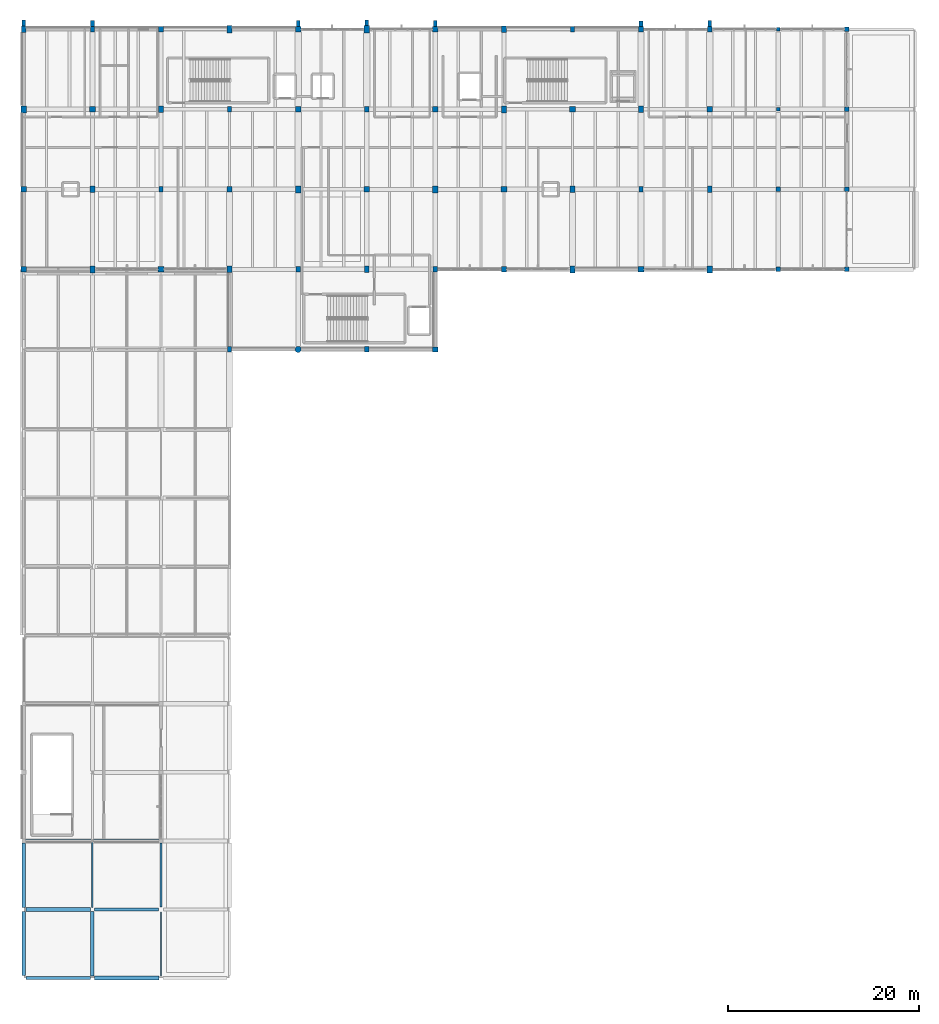
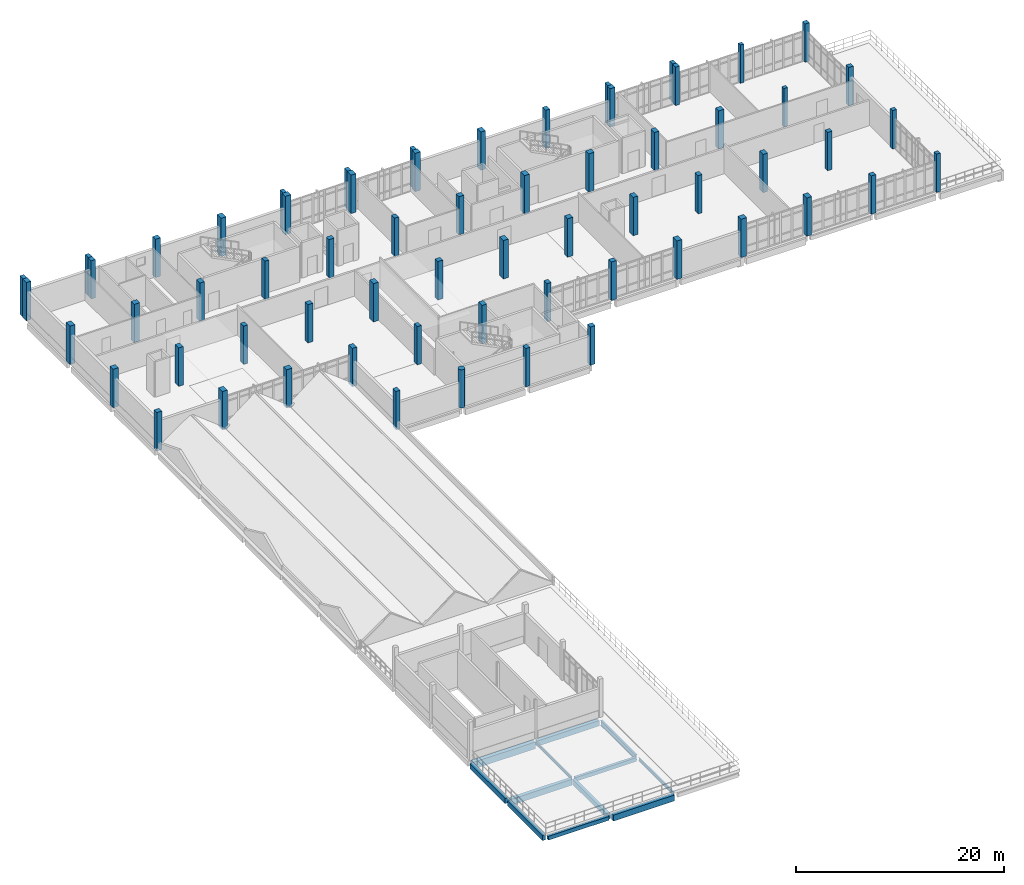
# One storey, part 2 of 41: 63 columns, 12 beams.
"""IFC4 building model written with IfcOpenShell, lengths in metres."""

from ifc_helpers import new_model, si_unit, direction, frame, origin, origin_2d, place, context, subcontext, project, spatial, rectangle, circle, i_section, extrude, material, material_profile, profile_set, type_object, element, save


model = new_model("IFC4")

# Units and contexts
model_context = context("Model", 3, precision=1e-05, world=origin(), true_north=direction((0.0, 1.0)))
body_context = subcontext(model_context, "Body", "Model", "MODEL_VIEW")
ifc_project = project(units=[si_unit("LENGTHUNIT", "METRE"), si_unit("AREAUNIT", "SQUARE_METRE"), si_unit("VOLUMEUNIT", "CUBIC_METRE"), si_unit("PLANEANGLEUNIT", "RADIAN"), si_unit("MASSUNIT", "GRAM", prefix="KILO")], contexts=[model_context])

# Site, building, storey
site_placement = place(None, origin())
site = spatial("IfcSite", under=ifc_project, at=site_placement, CompositionType="ELEMENT")
building_placement = place(site_placement, origin())
building = spatial("IfcBuilding", under=site, at=building_placement, Name="Kalluvel Institute of Natural Sciences", CompositionType="ELEMENT")
storey_placement = place(building_placement, frame((0.0, 0.0, 32.39990234375)))
storey = spatial("IfcBuildingStorey", under=building, at=storey_placement, Name="L07", CompositionType="ELEMENT", Elevation=32.39990234375)

# Columns
ifc_material_1 = material(Name="Concrete M40", Category="concrete")
ifc_material_profile_1 = material_profile(ifc_material_1, rectangle(XDim=0.39990234375, YDim=0.39990234375, at=origin_2d()), Name="RC 400x400")
ifc_profile_set_1 = profile_set([ifc_material_profile_1], Name="Concrete M40")
column_type_1 = type_object("IfcColumnType", Name="COL-RC400", PredefinedType="COLUMN", material=ifc_profile_set_1)
for number, where, z_axis, x_axis, name in (
    (1, (93.199951171875, 119.60009765625, 0.0), (0.0, 0.0, 1.0), (1.0, 0.0, 0.0), "L07 structural column COL-L07-X932-Y1196"),
    (2, (93.199951171875, 128.0, 0.0), (0.0, 0.0, 1.0), (1.0, 0.0, 0.0), "L07 structural column COL-L07-X932-Y1280"),
):
    element("IfcColumn", number, at=place(storey_placement, frame(where, z_axis=z_axis, x_axis=x_axis)), inside=storey, type_object=column_type_1, Name=name, PredefinedType="COLUMN", context=body_context, shape_type="SweptSolid", body=[
        extrude(rectangle(XDim=0.39990234375, YDim=0.39990234375, at=origin_2d()), origin(), (0.0, 0.0, 1.0), 4.5),
    ])
ifc_material_profile_2 = material_profile(ifc_material_1, rectangle(XDim=0.449951171875, YDim=0.449951171875, at=origin_2d()), Name="RC 450x450")
ifc_profile_set_2 = profile_set([ifc_material_profile_2], Name="Concrete M40")
column_type_2 = type_object("IfcColumnType", Name="COL-RC450", PredefinedType="COLUMN", material=ifc_profile_set_2)
for number, where, z_axis, x_axis, name in (
    (3, (100.39990234375, 102.800048828125, 0.0), (0.0, 0.0, 1.0), (1.0, 0.0, 0.0), "L07 structural column COL-L07-X1004-Y1028"),
    (4, (100.39990234375, 111.199951171875, 0.0), (0.0, 0.0, 1.0), (1.0, 0.0, 0.0), "L07 structural column COL-L07-X1004-Y1112"),
):
    element("IfcColumn", number, at=place(storey_placement, frame(where, z_axis=z_axis, x_axis=x_axis)), inside=storey, type_object=column_type_2, Name=name, PredefinedType="COLUMN", context=body_context, shape_type="SweptSolid", body=[
        extrude(rectangle(XDim=0.449951171875, YDim=0.449951171875, at=origin_2d()), origin(), (0.0, 0.0, 1.0), 4.5),
    ])
ifc_material_profile_3 = material_profile(ifc_material_1, rectangle(XDim=0.449951171875, YDim=0.60009765625, at=origin_2d()), Name="RC 450x600")
ifc_profile_set_3 = profile_set([ifc_material_profile_3], Name="Concrete M40")
column_type_3 = type_object("IfcColumnType", Name="COL-RC450x600", PredefinedType="COLUMN", material=ifc_profile_set_3)
for number, where, z_axis, x_axis, name in (
    (5, (21.199951171875, 128.0, 0.0), (0.0, 0.0, 1.0), (1.0, 0.0, 0.0), "L07 structural column COL-L07-X212-Y1280"),
    (6, (28.39990234375, 111.199951171875, 0.0), (0.0, 0.0, 1.0), (1.0, 0.0, 0.0), "L07 structural column COL-L07-X284-Y1112"),
    (7, (35.60009765625, 94.39990234375, 0.0), (0.0, 0.0, 1.0), (1.0, 0.0, 0.0), "L07 structural column COL-L07-X356-Y944"),
    (8, (35.60009765625, 119.60009765625, 0.0), (0.0, 0.0, 1.0), (1.0, 0.0, 0.0), "L07 structural column COL-L07-X356-Y1196"),
    (9, (42.800048828125, 102.800048828125, 0.0), (0.0, 0.0, 1.0), (1.0, 0.0, 0.0), "L07 structural column COL-L07-X428-Y1028"),
    (10, (50.0, 94.39990234375, 0.0), (0.0, 0.0, 1.0), (1.0, 0.0, 0.0), "L07 structural column COL-L07-X500-Y944"),
    (11, (50.0, 119.60009765625, 0.0), (0.0, 0.0, 1.0), (1.0, 0.0, 0.0), "L07 structural column COL-L07-X500-Y1196"),
    (12, (57.199951171875, 102.800048828125, 0.0), (0.0, 0.0, 1.0), (1.0, 0.0, 0.0), "L07 structural column COL-L07-X572-Y1028"),
    (13, (71.60009765625, 128.0, 0.0), (0.0, 0.0, 1.0), (1.0, 0.0, 0.0), "L07 structural column COL-L07-X716-Y1280"),
    (14, (78.800048828125, 111.199951171875, 0.0), (0.0, 0.0, 1.0), (1.0, 0.0, 0.0), "L07 structural column COL-L07-X788-Y1112"),
    (15, (86.0, 128.0, 0.0), (0.0, 0.0, 1.0), (1.0, 0.0, 0.0), "L07 structural column COL-L07-X860-Y1280"),
):
    element("IfcColumn", number, at=place(storey_placement, frame(where, z_axis=z_axis, x_axis=x_axis)), inside=storey, type_object=column_type_3, Name=name, PredefinedType="COLUMN", context=body_context, shape_type="SweptSolid", body=[
        extrude(rectangle(XDim=0.449951171875, YDim=0.60009765625, at=origin_2d()), origin(), (0.0, 0.0, 1.0), 4.5),
    ])
ifc_material_profile_4 = material_profile(ifc_material_1, rectangle(XDim=0.5, YDim=0.5, at=origin_2d()), Name="RC 500x500")
ifc_profile_set_4 = profile_set([ifc_material_profile_4], Name="Concrete M40")
column_type_4 = type_object("IfcColumnType", Name="COL-RC500", PredefinedType="COLUMN", material=ifc_profile_set_4)
for number, where, z_axis, x_axis, name in (
    (16, (93.199951171875, 102.800048828125, 0.0), (0.0, 0.0, 1.0), (1.0, 0.0, 0.0), "L07 structural column COL-L07-X932-Y1028"),
    (17, (93.199951171875, 111.199951171875, 0.0), (0.0, 0.0, 1.0), (1.0, 0.0, 0.0), "L07 structural column COL-L07-X932-Y1112"),
    (18, (100.39990234375, 119.60009765625, 0.0), (0.0, 0.0, 1.0), (1.0, 0.0, 0.0), "L07 structural column COL-L07-X1004-Y1196"),
    (19, (100.39990234375, 128.0, 0.0), (0.0, 0.0, 1.0), (1.0, 0.0, 0.0), "L07 structural column COL-L07-X1004-Y1280"),
):
    element("IfcColumn", number, at=place(storey_placement, frame(where, z_axis=z_axis, x_axis=x_axis)), inside=storey, type_object=column_type_4, Name=name, PredefinedType="COLUMN", context=body_context, shape_type="SweptSolid", body=[
        extrude(rectangle(XDim=0.5, YDim=0.5, at=origin_2d()), origin(), (0.0, 0.0, 1.0), 4.5),
    ])
ifc_material_profile_5 = material_profile(ifc_material_1, rectangle(XDim=0.5, YDim=0.699951171875, at=origin_2d()), Name="RC 500x700")
ifc_profile_set_5 = profile_set([ifc_material_profile_5], Name="Concrete M40")
column_type_5 = type_object("IfcColumnType", Name="COL-RC500x700", PredefinedType="COLUMN", material=ifc_profile_set_5)
for number, where, z_axis, x_axis, name in (
    (20, (14.0, 128.0, 0.0), (0.0, 0.0, 1.0), (1.0, 0.0, 0.0), "L07 structural column COL-L07-X140-Y1280"),
    (21, (21.199951171875, 111.199951171875, 0.0), (0.0, 0.0, 1.0), (1.0, 0.0, 0.0), "L07 structural column COL-L07-X212-Y1112"),
    (22, (28.39990234375, 119.60009765625, 0.0), (0.0, 0.0, 1.0), (1.0, 0.0, 0.0), "L07 structural column COL-L07-X284-Y1196"),
    (23, (35.60009765625, 102.800048828125, 0.0), (0.0, 0.0, 1.0), (1.0, 0.0, 0.0), "L07 structural column COL-L07-X356-Y1028"),
    (24, (50.0, 102.800048828125, 0.0), (0.0, 0.0, 1.0), (1.0, 0.0, 0.0), "L07 structural column COL-L07-X500-Y1028"),
    (25, (64.39990234375, 128.0, 0.0), (0.0, 0.0, 1.0), (1.0, 0.0, 0.0), "L07 structural column COL-L07-X644-Y1280"),
    (26, (71.60009765625, 111.199951171875, 0.0), (0.0, 0.0, 1.0), (1.0, 0.0, 0.0), "L07 structural column COL-L07-X716-Y1112"),
    (27, (78.800048828125, 119.60009765625, 0.0), (0.0, 0.0, 1.0), (1.0, 0.0, 0.0), "L07 structural column COL-L07-X788-Y1196"),
    (28, (86.0, 111.199951171875, 0.0), (0.0, 0.0, 1.0), (1.0, 0.0, 0.0), "L07 structural column COL-L07-X860-Y1112"),
):
    element("IfcColumn", number, at=place(storey_placement, frame(where, z_axis=z_axis, x_axis=x_axis)), inside=storey, type_object=column_type_5, Name=name, PredefinedType="COLUMN", context=body_context, shape_type="SweptSolid", body=[
        extrude(rectangle(XDim=0.5, YDim=0.699951171875, at=origin_2d()), origin(), (0.0, 0.0, 1.0), 4.5),
    ])
ifc_material_profile_6 = material_profile(ifc_material_1, rectangle(XDim=0.550048828125, YDim=0.550048828125, at=origin_2d()), Name="RC 550x550")
ifc_profile_set_6 = profile_set([ifc_material_profile_6], Name="Concrete M40")
column_type_6 = type_object("IfcColumnType", Name="COL-RC550", PredefinedType="COLUMN", material=ifc_profile_set_6)
for number, where, z_axis, x_axis, name in (
    (29, (14.0, 102.800048828125, 0.0), (0.0, 0.0, 1.0), (1.0, 0.0, 0.0), "L07 structural column COL-L07-X140-Y1028"),
    (30, (28.39990234375, 128.0, 0.0), (0.0, 0.0, 1.0), (1.0, 0.0, 0.0), "L07 structural column COL-L07-X284-Y1280"),
    (31, (35.60009765625, 111.199951171875, 0.0), (0.0, 0.0, 1.0), (1.0, 0.0, 0.0), "L07 structural column COL-L07-X356-Y1112"),
    (32, (42.800048828125, 119.60009765625, 0.0), (0.0, 0.0, 1.0), (1.0, 0.0, 0.0), "L07 structural column COL-L07-X428-Y1196"),
    (33, (50.0, 111.199951171875, 0.0), (0.0, 0.0, 1.0), (1.0, 0.0, 0.0), "L07 structural column COL-L07-X500-Y1112"),
    (34, (57.199951171875, 94.39990234375, 0.0), (0.0, 0.0, 1.0), (1.0, 0.0, 0.0), "L07 structural column COL-L07-X572-Y944"),
    (35, (57.199951171875, 119.60009765625, 0.0), (0.0, 0.0, 1.0), (1.0, 0.0, 0.0), "L07 structural column COL-L07-X572-Y1196"),
    (36, (64.39990234375, 102.800048828125, 0.0), (0.0, 0.0, 1.0), (1.0, 0.0, 0.0), "L07 structural column COL-L07-X644-Y1028"),
    (37, (78.800048828125, 128.0, 0.0), (0.0, 0.0, 1.0), (1.0, 0.0, 0.0), "L07 structural column COL-L07-X788-Y1280"),
):
    element("IfcColumn", number, at=place(storey_placement, frame(where, z_axis=z_axis, x_axis=x_axis)), inside=storey, type_object=column_type_6, Name=name, PredefinedType="COLUMN", context=body_context, shape_type="SweptSolid", body=[
        extrude(rectangle(XDim=0.550048828125, YDim=0.550048828125, at=origin_2d()), origin(), (0.0, 0.0, 1.0), 4.5),
    ])
ifc_material_profile_7 = material_profile(ifc_material_1, rectangle(XDim=0.550048828125, YDim=0.75, at=origin_2d()), Name="RC 550x750")
ifc_profile_set_7 = profile_set([ifc_material_profile_7], Name="Concrete M40")
column_type_7 = type_object("IfcColumnType", Name="COL-RC550x750", PredefinedType="COLUMN", material=ifc_profile_set_7)
for number, where, z_axis, x_axis, name in (
    (38, (14.0, 119.60009765625, 0.0), (0.0, 0.0, 1.0), (1.0, 0.0, 0.0), "L07 structural column COL-L07-X140-Y1196"),
    (39, (21.199951171875, 102.800048828125, 0.0), (0.0, 0.0, 1.0), (1.0, 0.0, 0.0), "L07 structural column COL-L07-X212-Y1028"),
    (40, (35.60009765625, 128.0, 0.0), (0.0, 0.0, 1.0), (1.0, 0.0, 0.0), "L07 structural column COL-L07-X356-Y1280"),
    (41, (42.800048828125, 111.199951171875, 0.0), (0.0, 0.0, 1.0), (1.0, 0.0, 0.0), "L07 structural column COL-L07-X428-Y1112"),
    (42, (50.0, 128.0, 0.0), (0.0, 0.0, 1.0), (1.0, 0.0, 0.0), "L07 structural column COL-L07-X500-Y1280"),
    (43, (57.199951171875, 111.199951171875, 0.0), (0.0, 0.0, 1.0), (1.0, 0.0, 0.0), "L07 structural column COL-L07-X572-Y1112"),
    (44, (64.39990234375, 119.60009765625, 0.0), (0.0, 0.0, 1.0), (1.0, 0.0, 0.0), "L07 structural column COL-L07-X644-Y1196"),
    (45, (71.60009765625, 102.800048828125, 0.0), (0.0, 0.0, 1.0), (1.0, 0.0, 0.0), "L07 structural column COL-L07-X716-Y1028"),
    (46, (86.0, 102.800048828125, 0.0), (0.0, 0.0, 1.0), (1.0, 0.0, 0.0), "L07 structural column COL-L07-X860-Y1028"),
):
    element("IfcColumn", number, at=place(storey_placement, frame(where, z_axis=z_axis, x_axis=x_axis)), inside=storey, type_object=column_type_7, Name=name, PredefinedType="COLUMN", context=body_context, shape_type="SweptSolid", body=[
        extrude(rectangle(XDim=0.550048828125, YDim=0.75, at=origin_2d()), origin(), (0.0, 0.0, 1.0), 4.5),
    ])
ifc_material_profile_8 = material_profile(ifc_material_1, rectangle(XDim=0.60009765625, YDim=0.60009765625, at=origin_2d()), Name="RC 600x600")
ifc_profile_set_8 = profile_set([ifc_material_profile_8], Name="Concrete M40")
column_type_8 = type_object("IfcColumnType", Name="COL-RC600", PredefinedType="COLUMN", material=ifc_profile_set_8)
for number, where, z_axis, x_axis, name in (
    (47, (14.0, 111.199951171875, 0.0), (0.0, 0.0, 1.0), (1.0, 0.0, 0.0), "L07 structural column COL-L07-X140-Y1112"),
    (48, (21.199951171875, 119.60009765625, 0.0), (0.0, 0.0, 1.0), (1.0, 0.0, 0.0), "L07 structural column COL-L07-X212-Y1196"),
    (49, (28.39990234375, 102.800048828125, 0.0), (0.0, 0.0, 1.0), (1.0, 0.0, 0.0), "L07 structural column COL-L07-X284-Y1028"),
    (50, (42.800048828125, 128.0, 0.0), (0.0, 0.0, 1.0), (1.0, 0.0, 0.0), "L07 structural column COL-L07-X428-Y1280"),
    (51, (57.199951171875, 128.0, 0.0), (0.0, 0.0, 1.0), (1.0, 0.0, 0.0), "L07 structural column COL-L07-X572-Y1280"),
    (52, (64.39990234375, 111.199951171875, 0.0), (0.0, 0.0, 1.0), (1.0, 0.0, 0.0), "L07 structural column COL-L07-X644-Y1112"),
    (53, (71.60009765625, 119.60009765625, 0.0), (0.0, 0.0, 1.0), (1.0, 0.0, 0.0), "L07 structural column COL-L07-X716-Y1196"),
    (54, (78.800048828125, 102.800048828125, 0.0), (0.0, 0.0, 1.0), (1.0, 0.0, 0.0), "L07 structural column COL-L07-X788-Y1028"),
    (55, (86.0, 119.60009765625, 0.0), (0.0, 0.0, 1.0), (1.0, 0.0, 0.0), "L07 structural column COL-L07-X860-Y1196"),
):
    element("IfcColumn", number, at=place(storey_placement, frame(where, z_axis=z_axis, x_axis=x_axis)), inside=storey, type_object=column_type_8, Name=name, PredefinedType="COLUMN", context=body_context, shape_type="SweptSolid", body=[
        extrude(rectangle(XDim=0.60009765625, YDim=0.60009765625, at=origin_2d()), origin(), (0.0, 0.0, 1.0), 4.5),
    ])
ifc_material_profile_9 = material_profile(ifc_material_1, circle(Radius=0.324951171875, at=origin_2d()), Name="RCCOL D650")
ifc_profile_set_9 = profile_set([ifc_material_profile_9], Name="Concrete M40")
column_type_9 = type_object("IfcColumnType", Name="COL-RCD650", PredefinedType="COLUMN", material=ifc_profile_set_9)
column_placement = place(storey_placement, frame((42.800048828125, 94.39990234375, 0.0), z_axis=(0.0, 0.0, 1.0), x_axis=(1.0, 0.0, 0.0)))
element("IfcColumn", 56, at=column_placement, inside=storey, type_object=column_type_9, Name="L07 structural column COL-L07-X428-Y944", PredefinedType="COLUMN", context=body_context, shape_type="SweptSolid", body=[
    extrude(circle(Radius=0.324951171875, at=origin_2d()), origin(), (0.0, 0.0, 1.0), 4.5),
])
ifc_material_2 = material(Name="Sadarahalli Granite Precast Concrete M45", Category="masonry")
ifc_material_profile_10 = material_profile(ifc_material_2, rectangle(XDim=0.39990234375, YDim=0.60009765625, at=origin_2d()), Name="PIL 400x600")
ifc_profile_set_10 = profile_set([ifc_material_profile_10], Name="Sadarahalli Granite Precast Concrete M45")
column_type_10 = type_object("IfcColumnType", Name="PIL-400x600", PredefinedType="PILASTER", material=ifc_profile_set_10)
for number, where, z_axis, x_axis, name in (
    (57, (14.0, 128.653076171875, 0.0), (0.0, 0.0, 1.0), (1.0, 0.0, 0.0), "L07 Gothic stepped Sadarahalli granite buttress 9"),
    (58, (21.199951171875, 128.60302734375, 0.0), (0.0, 0.0, 1.0), (1.0, 0.0, 0.0), "L07 Gothic stepped Sadarahalli granite buttress 19"),
    (59, (42.800048828125, 128.60302734375, 0.0), (0.0, 0.0, 1.0), (1.0, 0.0, 0.0), "L07 Gothic stepped Sadarahalli granite buttress 29"),
    (60, (50.0, 128.677978515625, 0.0), (0.0, 0.0, 1.0), (1.0, 0.0, 0.0), "L07 Gothic stepped Sadarahalli granite buttress 39"),
    (61, (57.199951171875, 128.60302734375, 0.0), (0.0, 0.0, 1.0), (1.0, 0.0, 0.0), "L07 Gothic stepped Sadarahalli granite buttress 49"),
    (62, (78.800048828125, 128.577880859375, 0.0), (0.0, 0.0, 1.0), (1.0, 0.0, 0.0), "L07 Gothic stepped Sadarahalli granite buttress 59"),
    (63, (86.0, 128.60302734375, 0.0), (0.0, 0.0, 1.0), (1.0, 0.0, 0.0), "L07 Gothic stepped Sadarahalli granite buttress 69"),
):
    element("IfcColumn", number, at=place(storey_placement, frame(where, z_axis=z_axis, x_axis=x_axis)), inside=storey, type_object=column_type_10, Name=name, PredefinedType="PILASTER", context=body_context, shape_type="SweptSolid", body=[
        extrude(rectangle(XDim=0.39990234375, YDim=0.60009765625, at=origin_2d()), origin(), (0.0, 0.0, 1.0), 4.5),
    ])

# Beams
ifc_material_3 = material(Name="Steel E350 Grade 350", Category="steel")
ifc_material_profile_11 = material_profile(ifc_material_3, i_section(OverallWidth=0.139892578125, OverallDepth=0.35009765625, WebThickness=0.008056640625, FlangeThickness=0.01416015625, FilletRadius=0.013916015625, at=origin_2d()), Name="ISMB 350")
ifc_profile_set_11 = profile_set([ifc_material_profile_11], Name="Steel E350 Grade 350")
beam_type_1 = type_object("IfcBeamType", Name="BM-ISMB350", PredefinedType="BEAM", material=ifc_profile_set_11)
beam_1_placement = place(storey_placement, frame((21.199951171875, 35.800048828125, -0.494873046875), z_axis=(0.0, 1.0, 0.0), x_axis=(-1.0, 0.0, 0.0)))
element("IfcBeam", 64, at=beam_1_placement, inside=storey, type_object=beam_type_1, Name="L07 girder GIR-L07-NS-X212-Y356", PredefinedType="BEAM", context=body_context, shape_type="SweptSolid", body=[
    extrude(i_section(OverallWidth=0.139892578125, OverallDepth=0.35009765625, WebThickness=0.008056640625, FlangeThickness=0.01416015625, FilletRadius=0.013916015625, at=origin_2d()), origin(), (0.0, 0.0, 1.0), 6.875),
])
beam_2_placement = place(storey_placement, frame((28.39990234375, 28.60009765625, -0.494873046875), z_axis=(0.0, 1.0, 0.0), x_axis=(-1.0, 0.0, 0.0)))
element("IfcBeam", 65, at=beam_2_placement, inside=storey, type_object=beam_type_1, Name="L07 girder GIR-L07-NS-X284-Y284", PredefinedType="BEAM", context=body_context, shape_type="SweptSolid", body=[
    extrude(i_section(OverallWidth=0.139892578125, OverallDepth=0.35009765625, WebThickness=0.008056640625, FlangeThickness=0.01416015625, FilletRadius=0.013916015625, at=origin_2d()), origin(), (0.0, 0.0, 1.0), 6.75),
])
ifc_material_profile_12 = material_profile(ifc_material_3, i_section(OverallWidth=0.2099609375, OverallDepth=0.60009765625, WebThickness=0.011962890625, FlangeThickness=0.020751953125, FilletRadius=0.02001953125, at=origin_2d()), Name="ISMB 600")
ifc_profile_set_12 = profile_set([ifc_material_profile_12], Name="Steel E350 Grade 350")
beam_type_2 = type_object("IfcBeamType", Name="BM-ISMB600", PredefinedType="BEAM", material=ifc_profile_set_12)
beam_3_placement = place(storey_placement, frame((28.39990234375, 35.85009765625, -0.619873046875), z_axis=(0.0, 1.0, 0.0), x_axis=(-1.0, 0.0, 0.0)))
element("IfcBeam", 66, at=beam_3_placement, inside=storey, type_object=beam_type_2, Name="L07 girder GIR-L07-NS-X284-Y356", PredefinedType="BEAM", context=body_context, shape_type="SweptSolid", body=[
    extrude(i_section(OverallWidth=0.2099609375, OverallDepth=0.60009765625, WebThickness=0.011962890625, FlangeThickness=0.020751953125, FilletRadius=0.02001953125, at=origin_2d()), origin(), (0.0, 0.0, 1.0), 6.75),
])
ifc_material_profile_13 = material_profile(ifc_material_1, rectangle(XDim=0.35009765625, YDim=0.60009765625, at=origin_2d()), Name="RCB 350x600")
ifc_profile_set_13 = profile_set([ifc_material_profile_13], Name="Concrete M40")
beam_type_3 = type_object("IfcBeamType", Name="BM-RC350x600", PredefinedType="BEAM", material=ifc_profile_set_13)
beam_4_placement = place(storey_placement, frame((21.199951171875, 28.625, -0.619873046875), z_axis=(0.0, 1.0, 0.0), x_axis=(-1.0, 0.0, 0.0)))
element("IfcBeam", 67, at=beam_4_placement, inside=storey, type_object=beam_type_3, Name="L07 girder GIR-L07-NS-X212-Y284", PredefinedType="BEAM", context=body_context, shape_type="SweptSolid", body=[
    extrude(rectangle(XDim=0.35009765625, YDim=0.60009765625, at=origin_2d()), origin(), (0.0, 0.0, 1.0), 6.77490234375),
])
ifc_material_profile_14 = material_profile(ifc_material_1, rectangle(XDim=0.3798828125, YDim=0.639892578125, at=origin_2d()), Name="RCB 380x640")
ifc_profile_set_14 = profile_set([ifc_material_profile_14], Name="Concrete M40")
beam_type_4 = type_object("IfcBeamType", Name="BM-RC380x640", PredefinedType="BEAM", material=ifc_profile_set_14)
beam_5_placement = place(storey_placement, frame((21.324951171875, 42.800048828125, -0.639892578125), z_axis=(1.0, 0.0, 0.0), x_axis=(0.0, 1.0, 0.0)))
element("IfcBeam", 68, at=beam_5_placement, inside=storey, type_object=beam_type_4, Name="L07 girder GIR-L07-EW-X212-Y428", PredefinedType="BEAM", context=body_context, shape_type="SweptSolid", body=[
    extrude(rectangle(XDim=0.3798828125, YDim=0.639892578125, at=origin_2d()), origin(), (0.0, 0.0, 1.0), 6.875),
])
ifc_material_profile_15 = material_profile(ifc_material_1, rectangle(XDim=0.449951171875, YDim=0.800048828125, at=origin_2d()), Name="RCB 450x800")
ifc_profile_set_15 = profile_set([ifc_material_profile_15], Name="Concrete M40")
beam_type_5 = type_object("IfcBeamType", Name="BM-RC450x800", PredefinedType="BEAM", material=ifc_profile_set_15)
beam_6_placement = place(storey_placement, frame((14.199951171875, 42.800048828125, -0.719970703125), z_axis=(1.0, 0.0, 0.0), x_axis=(0.0, 1.0, 0.0)))
element("IfcBeam", 69, at=beam_6_placement, inside=storey, type_object=beam_type_5, Name="L07 girder GIR-L07-EW-X140-Y428", PredefinedType="BEAM", context=body_context, shape_type="SweptSolid", body=[
    extrude(rectangle(XDim=0.449951171875, YDim=0.800048828125, at=origin_2d()), origin(), (0.0, 0.0, 1.0), 6.875),
])
ifc_material_profile_16 = material_profile(ifc_material_1, rectangle(XDim=0.300048828125, YDim=0.449951171875, at=origin_2d()), Name="RCB 300x450")
ifc_profile_set_16 = profile_set([ifc_material_profile_16], Name="Concrete M40")
beam_type_6 = type_object("IfcBeamType", Name="SP-RC300x450", PredefinedType="SPANDREL", material=ifc_profile_set_16)
beam_7_placement = place(storey_placement, frame((14.25, 28.39990234375, -0.544921875), z_axis=(1.0, 0.0, 0.0), x_axis=(0.0, 1.0, 0.0)))
element("IfcBeam", 70, at=beam_7_placement, inside=storey, type_object=beam_type_6, Name="L07 girder GIR-L07-EW-X140-Y284", PredefinedType="SPANDREL", context=body_context, shape_type="SweptSolid", body=[
    extrude(rectangle(XDim=0.300048828125, YDim=0.449951171875, at=origin_2d()), origin(), (0.0, 0.0, 1.0), 6.72509765625),
])
beam_8_placement = place(storey_placement, frame((21.39990234375, 35.60009765625, -0.544921875), z_axis=(1.0, 0.0, 0.0), x_axis=(0.0, 1.0, 0.0)))
element("IfcBeam", 71, at=beam_8_placement, inside=storey, type_object=beam_type_6, Name="L07 girder GIR-L07-EW-X212-Y356", PredefinedType="SPANDREL", context=body_context, shape_type="SweptSolid", body=[
    extrude(rectangle(XDim=0.300048828125, YDim=0.449951171875, at=origin_2d()), origin(), (0.0, 0.0, 1.0), 6.75),
])
ifc_material_profile_17 = material_profile(ifc_material_1, rectangle(XDim=0.35009765625, YDim=0.60009765625, at=origin_2d()), Name="RCB 350x600")
ifc_profile_set_17 = profile_set([ifc_material_profile_17], Name="Concrete M40")
beam_type_7 = type_object("IfcBeamType", Name="SP-RC350x600", PredefinedType="SPANDREL", material=ifc_profile_set_17)
beam_9_placement = place(storey_placement, frame((14.0, 28.64990234375, -0.619873046875), z_axis=(0.0, 1.0, 0.0), x_axis=(-1.0, 0.0, 0.0)))
element("IfcBeam", 72, at=beam_9_placement, inside=storey, type_object=beam_type_7, Name="L07 girder GIR-L07-NS-X140-Y284", PredefinedType="SPANDREL", context=body_context, shape_type="SweptSolid", body=[
    extrude(rectangle(XDim=0.35009765625, YDim=0.60009765625, at=origin_2d()), origin(), (0.0, 0.0, 1.0), 6.72509765625),
])
beam_10_placement = place(storey_placement, frame((14.0, 35.824951171875, -0.619873046875), z_axis=(0.0, 1.0, 0.0), x_axis=(-1.0, 0.0, 0.0)))
element("IfcBeam", 73, at=beam_10_placement, inside=storey, type_object=beam_type_7, Name="L07 girder GIR-L07-NS-X140-Y356", PredefinedType="SPANDREL", context=body_context, shape_type="SweptSolid", body=[
    extrude(rectangle(XDim=0.35009765625, YDim=0.60009765625, at=origin_2d()), origin(), (0.0, 0.0, 1.0), 6.775146484375),
])
ifc_material_profile_18 = material_profile(ifc_material_1, rectangle(XDim=0.39990234375, YDim=0.699951171875, at=origin_2d()), Name="RCB 400x700")
ifc_profile_set_18 = profile_set([ifc_material_profile_18], Name="Concrete M40")
beam_type_8 = type_object("IfcBeamType", Name="SP-RC400x700", PredefinedType="SPANDREL", material=ifc_profile_set_18)
for number, where, z_axis, x_axis, name in (
    (74, (21.425048828125, 28.39990234375, -0.669921875), (1.0, 0.0, 0.0), (0.0, 1.0, 0.0), "L07 girder GIR-L07-EW-X212-Y284"),
    (75, (14.22509765625, 35.60009765625, -0.669921875), (1.0, 0.0, 0.0), (0.0, 1.0, 0.0), "L07 girder GIR-L07-EW-X140-Y356"),
):
    element("IfcBeam", number, at=place(storey_placement, frame(where, z_axis=z_axis, x_axis=x_axis)), inside=storey, type_object=beam_type_8, Name=name, PredefinedType="SPANDREL", context=body_context, shape_type="SweptSolid", body=[
        extrude(rectangle(XDim=0.39990234375, YDim=0.699951171875, at=origin_2d()), origin(), (0.0, 0.0, 1.0), 6.77490234375),
    ])

save(model, "model.ifc")
